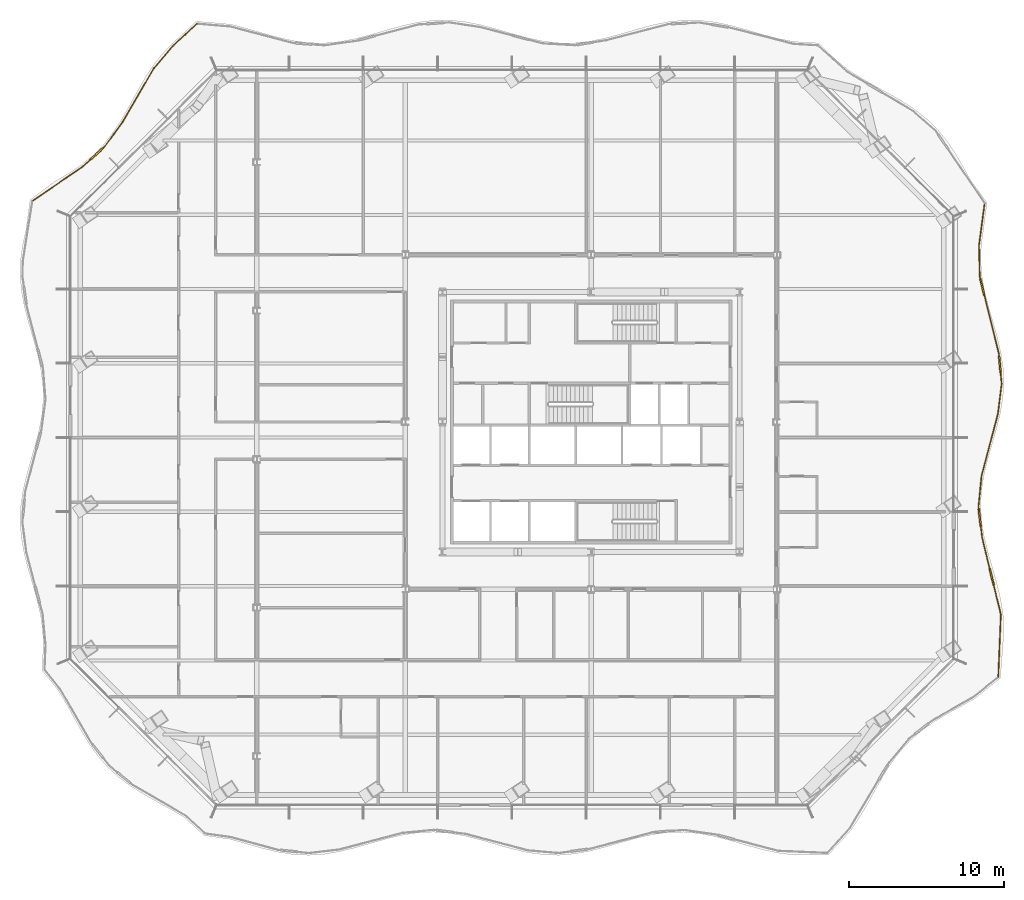
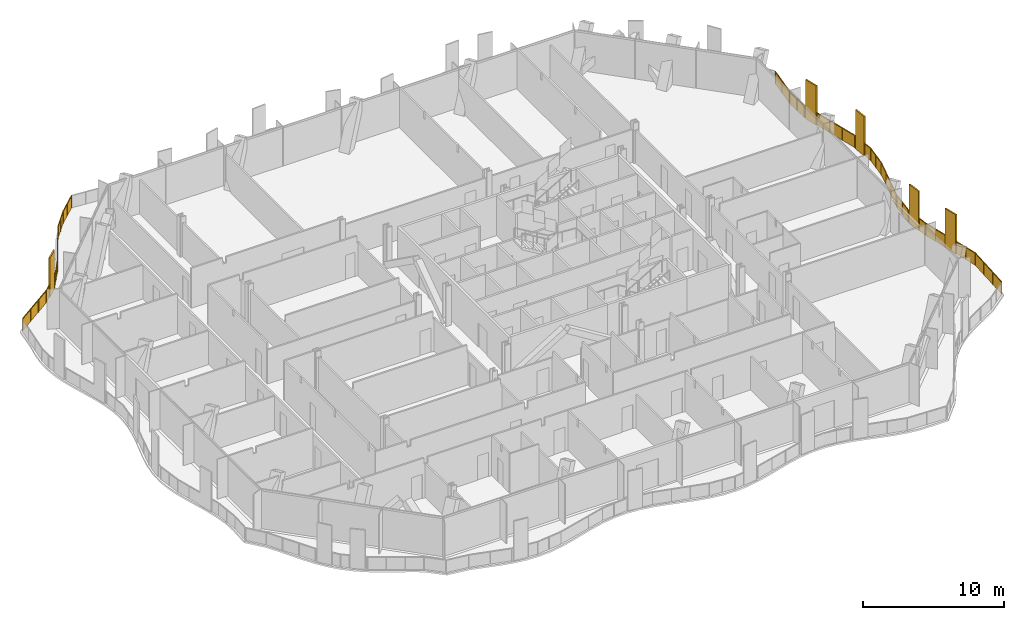
# One storey, part 17 of 19: 2 railings.
"""IFC4 building model written with IfcOpenShell, lengths in metres."""

import ifcopenshell
import ifcopenshell.guid

model = None  # the IFC model being written
_history = None  # IfcOwnerHistory: only IFC2X3 demands one
_inside = {}  # id of a spatial element -> (the spatial element, [elements in it])
_under = {}  # id of a project, library or spatial element -> (it, [spatial elements below it])
_declared = {}  # id of a project -> (the project, [libraries it declares])
_typed = {}  # id of a type object -> (the type object, [elements of that type])
_made_of = {}  # id of a material, layer set ... -> (it, [elements and type objects made of it])


def new_model(schema):
    """Start an empty IFC model of exactly this schema.

    Asked for "IFC4X3", IfcOpenShell would pick the latest addendum, in which some entities
    have other attributes; the version numbers below select the first issue.
    IFC2X3 requires an IfcOwnerHistory on every rooted entity: one is made here for all.
    """
    global model, _history
    if schema == "IFC4X3":
        model = ifcopenshell.file(schema_version=(4, 3, 0, 0))
    else:
        model = ifcopenshell.file(schema=schema)
    _inside.clear()
    _under.clear()
    _declared.clear()
    _typed.clear()
    _made_of.clear()
    _history = None
    if model.schema == "IFC2X3":
        org = make("IfcOrganization", Name="unknown")
        user = make(
            "IfcPersonAndOrganization",
            ThePerson=make("IfcPerson", FamilyName="unknown"),
            TheOrganization=org,
        )
        app = make(
            "IfcApplication",
            ApplicationDeveloper=org,
            Version="unknown",
            ApplicationFullName="unknown",
            ApplicationIdentifier="unknown",
        )
        _history = make(
            "IfcOwnerHistory",
            OwningUser=user,
            OwningApplication=app,
            ChangeAction="ADDED",
            CreationDate=0,
        )
    return model


def make(cls, **values):
    """One entity of the class cls with the attributes given. An attribute that is None is left unset."""
    return model.create_entity(
        cls, **{name: value for name, value in values.items() if value is not None}
    )


def rooted(cls, **values):
    """An entity with a GlobalId (a new one), such as an element, a storey or a relation."""
    return make(cls, GlobalId=ifcopenshell.guid.new(), OwnerHistory=_history, **values)


def si_unit(unit_type, name, prefix=None):
    """IfcSIUnit, for example si_unit("LENGTHUNIT", "METRE", prefix="MILLI")."""
    return make("IfcSIUnit", UnitType=unit_type, Prefix=prefix, Name=name)


def assignment(units):
    """IfcUnitAssignment: the units of a project."""
    return None if units is None else make("IfcUnitAssignment", Units=units)


def point(xyz):
    """IfcCartesianPoint."""
    return None if xyz is None else make("IfcCartesianPoint", Coordinates=xyz)


def direction(xyz):
    """IfcDirection."""
    return None if xyz is None else make("IfcDirection", DirectionRatios=xyz)


def frame(location, z_axis=None, x_axis=None):
    """IfcAxis2Placement3D, a coordinate frame: its origin and axes. An axis left out is left unset."""
    return make(
        "IfcAxis2Placement3D",
        Location=point(location),
        Axis=direction(z_axis),
        RefDirection=direction(x_axis),
    )


def frame_2d(location, x_axis=None):
    """IfcAxis2Placement2D, a coordinate frame in the plane: its origin and x axis."""
    return make(
        "IfcAxis2Placement2D", Location=point(location), RefDirection=direction(x_axis)
    )


def origin():
    """The frame at (0, 0, 0) with its axes left unset."""
    return frame((0.0, 0.0, 0.0))


def origin_2d():
    """The frame at (0, 0) in the plane with its x axis left unset."""
    return frame_2d((0.0, 0.0))


def place(relative_to, where):
    """IfcLocalPlacement: puts the frame where relative to a parent placement (None: the world)."""
    return make(
        "IfcLocalPlacement", PlacementRelTo=relative_to, RelativePlacement=where
    )


def context(
    kind, dimensions, precision=None, world=None, true_north=None, identifier=None
):
    """IfcGeometricRepresentationContext, for example the 3D "Model" context."""
    return make(
        "IfcGeometricRepresentationContext",
        ContextIdentifier=identifier,
        ContextType=kind,
        CoordinateSpaceDimension=dimensions,
        Precision=precision,
        WorldCoordinateSystem=world,
        TrueNorth=true_north,
    )


def subcontext(parent, identifier, kind, view, scale=None):
    """IfcGeometricRepresentationSubContext, for example "Body" below "Model"."""
    return make(
        "IfcGeometricRepresentationSubContext",
        ContextIdentifier=identifier,
        ContextType=kind,
        ParentContext=parent,
        TargetScale=scale,
        TargetView=view,
    )


def project(units=None, contexts=None):
    """IfcProject with its units and contexts."""
    return rooted(
        "IfcProject",
        Name="project",
        RepresentationContexts=contexts,
        UnitsInContext=assignment(units),
    )


def spatial(cls, under=None, at=None, **own):
    """A site, building, storey or space (cls), placed at a placement, below another one or the project."""
    s = rooted(cls, ObjectPlacement=at, **own)
    if under is not None:
        _under.setdefault(under.id(), (under, []))[1].append(s)
    return s


def polyline(points):
    """IfcPolyline through the points."""
    return make("IfcPolyline", Points=[point(p) for p in points])


def profile(cls, at=None, kind="AREA", **sizes):
    """A parametric profile (cls). Its sizes go by their IFC names, for example OverallWidth=200.0."""
    return make(cls, ProfileType=kind, Position=at, **sizes)


def rectangle(**sizes):
    """IfcRectangleProfileDef."""
    return profile("IfcRectangleProfileDef", **sizes)


def outline(outer, holes=None, kind="AREA"):
    """IfcArbitraryClosedProfileDef: a profile drawn as a closed curve; with holes, ...WithVoids."""
    if holes is None:
        return make("IfcArbitraryClosedProfileDef", ProfileType=kind, OuterCurve=outer)
    return make(
        "IfcArbitraryProfileDefWithVoids",
        ProfileType=kind,
        OuterCurve=outer,
        InnerCurves=holes,
    )


def extrude(swept, where, along, depth):
    """IfcExtrudedAreaSolid: the profile swept, set in the frame where, extruded along a direction by depth."""
    return make(
        "IfcExtrudedAreaSolid",
        SweptArea=swept,
        Position=where,
        ExtrudedDirection=direction(along),
        Depth=depth,
    )


def shape(context_of_items, identifier, shape_type, items):
    """IfcShapeRepresentation: the items that make up one representation, for example the "Body"."""
    return make(
        "IfcShapeRepresentation",
        ContextOfItems=context_of_items,
        RepresentationIdentifier=identifier,
        RepresentationType=shape_type,
        Items=items,
    )


def material(Name=None, Category=None):
    """IfcMaterial."""
    return make("IfcMaterial", Name=Name, Category=Category)


def made_of(thing, what):
    """Note that an element or type object is made of a material, layer set ...; save() writes the relation."""
    if what is not None:
        _made_of.setdefault(what.id(), (what, []))[1].append(thing)
    return thing


def type_object(cls, material=None, **own):
    """A type object (cls), such as IfcWallType, which elements share."""
    return made_of(rooted(cls, **own), material)


def element(
    cls,
    number,
    at=None,
    inside=None,
    cuts=None,
    type_object=None,
    material=None,
    context=None,
    identifier="Body",
    shape_type=None,
    held_by="IfcProductDefinitionShape",
    body=None,
    shapes=None,
    **own,
):
    """One element of the class cls, such as IfcWall. Its Tag is "e" and its number.

    at: its placement. inside: the storey or other place that contains it. cuts: it is an
    opening in that element (IfcRelVoidsElement). A single representation is given by context,
    identifier, shape_type and body (its items); several are given by shapes. held_by: the class
    of the entity that holds the representations. save() writes the other relations.
    """
    e = rooted(cls, Tag="e%d" % number, ObjectPlacement=at, **own)
    if body is not None:
        shapes = [shape(context, identifier, shape_type, body)]
    if shapes is not None:
        e.Representation = make(held_by, Representations=shapes)
    if inside is not None:
        _inside.setdefault(inside.id(), (inside, []))[1].append(e)
    if cuts is not None:
        rooted(
            "IfcRelVoidsElement", RelatingBuildingElement=cuts, RelatedOpeningElement=e
        )
    if type_object is not None:
        _typed.setdefault(type_object.id(), (type_object, []))[1].append(e)
    return made_of(e, material)


def aggregate(whole, parts):
    """IfcRelAggregates: a whole, such as a stair, and the parts it consists of."""
    return rooted("IfcRelAggregates", RelatingObject=whole, RelatedObjects=parts)


def save(model, path):
    """Write the relations noted so far, then the file.

    IfcRelAggregates (storeys below a building ...), IfcRelContainedInSpatialStructure (elements
    in a storey), IfcRelDefinesByType, IfcRelAssociatesMaterial and IfcRelDeclares: one each for
    every whole, place, type object, material and project.
    """
    for whole, parts in _under.values():
        aggregate(whole, parts)
    for where, things in _inside.values():
        rooted(
            "IfcRelContainedInSpatialStructure",
            RelatedElements=things,
            RelatingStructure=where,
        )
    for kind, things in _typed.values():
        rooted("IfcRelDefinesByType", RelatedObjects=things, RelatingType=kind)
    for what, things in _made_of.values():
        rooted("IfcRelAssociatesMaterial", RelatedObjects=things, RelatingMaterial=what)
    for by, libraries in _declared.values():
        rooted("IfcRelDeclares", RelatingContext=by, RelatedDefinitions=libraries)
    model.write(path)


model = new_model("IFC4")

# Units and contexts
model_context = context("Model", 3, precision=1e-05, world=origin(), true_north=direction((0.0, 1.0)))
body_context = subcontext(model_context, "Body", "Model", "MODEL_VIEW")
ifc_project = project(units=[si_unit("LENGTHUNIT", "METRE"), si_unit("AREAUNIT", "SQUARE_METRE"), si_unit("VOLUMEUNIT", "CUBIC_METRE"), si_unit("PLANEANGLEUNIT", "RADIAN"), si_unit("MASSUNIT", "GRAM", prefix="KILO")], contexts=[model_context])

# Site, building, storey
site_placement = place(None, origin())
site = spatial("IfcSite", under=ifc_project, at=site_placement, CompositionType="ELEMENT")
building_placement = place(site_placement, origin())
building = spatial("IfcBuilding", under=site, at=building_placement, Name="Cairn Pilgrim Tower", CompositionType="ELEMENT")
storey_placement = place(building_placement, frame((0.0, 0.0, 97.800048828125)))
storey = spatial("IfcBuildingStorey", under=building, at=storey_placement, Name="L23", CompositionType="ELEMENT", Elevation=97.800048828125)

# Railings
ifc_material = material(Name="Bronze anodised aluminium rail, posts and fin screens with laminated glass infill", Category="aluminium")
railing_type = type_object("IfcRailingType", Name="BALCONY GUARD WITH FIN SCREENS", PredefinedType="GUARDRAIL", material=ifc_material)
railing_1_placement = place(storey_placement, frame((33.515380859375, -14.083740234375, 0.0)))
element("IfcRailing", 1, at=railing_1_placement, inside=storey, type_object=railing_type, Name="Balcony guard BGF-3 with fin screens", PredefinedType="GUARDRAIL", context=body_context, shape_type="SweptSolid", body=[
    extrude(rectangle(XDim=0.050048828125, YDim=0.050048828125, at=origin_2d()), frame((0.0, 0.0, 1.0751953125), z_axis=(0.041725988298, 0.99912909171, 0.0), x_axis=(-0.99912909171, 0.041725988298, 0.0)), (0.0, 0.0, 1.0), 4.04296875),
    extrude(rectangle(XDim=1.10009765625, YDim=0.110107421875, at=origin_2d()), frame((-0.425048828125, 6.4736328125, 0.0), z_axis=(0.0, 0.0, 1.0), x_axis=(-0.237011292775, 0.971506895033, 0.0)), (0.0, 0.0, 1.0), 3.39990234375),
    extrude(rectangle(XDim=0.050048828125, YDim=0.050048828125, at=origin_2d()), frame((0.168701171875, 4.03955078125, 1.0751953125), z_axis=(-0.237011292775, 0.971506895033, 0.0), x_axis=(-0.971506895033, -0.237011292775, 0.0)), (0.0, 0.0, 1.0), 1.955322265625),
    extrude(rectangle(XDim=0.050048828125, YDim=0.050048828125, at=origin_2d()), frame((-0.555419921875, 7.0078125, 1.0751953125), z_axis=(-0.237011292775, 0.971506895033, 0.0), x_axis=(-0.971506895033, -0.237011292775, 0.0)), (0.0, 0.0, 1.0), 2.04345703125),
    extrude(rectangle(XDim=1.10009765625, YDim=0.110107421875, at=origin_2d()), frame((-1.1962890625, 10.3095703125, 0.0), z_axis=(0.0, 0.0, 1.0), x_axis=(-0.117995010321, 0.993014187985, 0.0)), (0.0, 0.0, 1.0), 3.39990234375),
    extrude(rectangle(XDim=0.050048828125, YDim=0.050048828125, at=origin_2d()), frame((-1.039794921875, 8.9931640625, 1.0751953125), z_axis=(-0.117995010321, 0.993014187985, 0.0), x_axis=(-0.993014187985, -0.117995010321, 0.0)), (0.0, 0.0, 1.0), 0.775634765625),
    extrude(rectangle(XDim=0.050048828125, YDim=0.050048828125, at=origin_2d()), frame((-1.26123046875, 10.855712890625, 1.0751953125), z_axis=(-0.117995010321, 0.993014187985, 0.0), x_axis=(-0.993014187985, -0.117995010321, 0.0)), (0.0, 0.0, 1.0), 0.14990234375),
    extrude(rectangle(XDim=0.050048828125, YDim=0.050048828125, at=origin_2d()), frame((-1.27880859375, 11.004638671875, 1.0751953125), z_axis=(0.099002253839, 0.99508720911, 0.0), x_axis=(-0.99508720911, 0.099002253839, 0.0)), (0.0, 0.0, 1.0), 2.024658203125),
    extrude(rectangle(XDim=0.050048828125, YDim=0.050048828125, at=origin_2d()), frame((-1.078369140625, 13.019287109375, 1.0751953125), z_axis=(0.25639847073, 0.966571168723, 0.0), x_axis=(-0.966571168723, 0.25639847073, 0.0)), (0.0, 0.0, 1.0), 4.111572265625),
    extrude(rectangle(XDim=0.050048828125, YDim=0.050048828125, at=origin_2d()), frame((-0.024169921875, 16.993408203125, 1.0751953125), z_axis=(0.123365297014, 0.992361327084, 0.0), x_axis=(-0.992361327084, 0.123365297014, 0.0)), (0.0, 0.0, 1.0), 1.97509765625),
    extrude(rectangle(XDim=1.10009765625, YDim=0.110107421875, at=origin_2d()), frame((0.1015625, 20.215087890625, 0.0), z_axis=(0.0, 0.0, 1.0), x_axis=(-0.093075444868, 0.995659058897, 0.0)), (0.0, 0.0, 1.0), 3.39990234375),
    extrude(rectangle(XDim=0.050048828125, YDim=0.050048828125, at=origin_2d()), frame((0.219482421875, 18.953369140625, 1.0751953125), z_axis=(-0.093075444868, 0.995659058897, 0.0), x_axis=(-0.995659058897, -0.093075444868, 0.0)), (0.0, 0.0, 1.0), 0.71728515625),
    extrude(rectangle(XDim=0.050048828125, YDim=0.050048828125, at=origin_2d()), frame((0.05029296875, 20.7626953125, 1.0751953125), z_axis=(-0.093075444868, 0.995659058897, 0.0), x_axis=(-0.995659058897, -0.093075444868, 0.0)), (0.0, 0.0, 1.0), 0.150146484375),
    extrude(rectangle(XDim=1.10009765625, YDim=0.110107421875, at=origin_2d()), frame((-1.028076171875, 25.203369140625, 0.0), z_axis=(0.0, 0.0, 1.0), x_axis=(-0.240785430161, 0.97057837222, 0.0)), (0.0, 0.0, 1.0), 3.39990234375),
    extrude(rectangle(XDim=0.050048828125, YDim=0.050048828125, at=origin_2d()), frame((0.036376953125, 20.912109375, 1.0751953125), z_axis=(-0.240785430161, 0.97057837222, 0.0), x_axis=(-0.97057837222, -0.240785430161, 0.0)), (0.0, 0.0, 1.0), 3.871337890625),
    extrude(rectangle(XDim=0.050048828125, YDim=0.050048828125, at=origin_2d()), frame((-1.16064453125, 25.737060546875, 1.0751953125), z_axis=(-0.240785430161, 0.97057837222, 0.0), x_axis=(-0.97057837222, -0.240785430161, 0.0)), (0.0, 0.0, 1.0), 0.150146484375),
    extrude(rectangle(XDim=0.050048828125, YDim=0.050048828125, at=origin_2d()), frame((-1.19677734375, 25.8828125, 1.0751953125), z_axis=(-0.022781964362, 0.999740457369, 0.0), x_axis=(-0.999740457369, -0.022781964362, 0.0)), (0.0, 0.0, 1.0), 2.0146484375),
    extrude(rectangle(XDim=0.050048828125, YDim=0.050048828125, at=origin_2d()), frame((-1.24267578125, 27.89697265625, 1.0751953125), z_axis=(0.131338408309, 0.9913375926, 0.0), x_axis=(-0.9913375926, 0.131338408309, 0.0)), (0.0, 0.0, 1.0), 2.693603515625),
    extrude(rectangle(XDim=0.050048828125, YDim=0.050048828125, at=origin_2d()), origin(), (0.0, 0.0, 1.0), 1.050048828125),
    extrude(rectangle(XDim=0.050048828125, YDim=0.050048828125, at=origin_2d()), frame((0.05615234375, 1.346435546875, 0.0)), (0.0, 0.0, 1.0), 1.050048828125),
    extrude(rectangle(XDim=0.050048828125, YDim=0.050048828125, at=origin_2d()), frame((0.112548828125, 2.693115234375, 0.0)), (0.0, 0.0, 1.0), 1.050048828125),
    extrude(rectangle(XDim=0.050048828125, YDim=0.050048828125, at=origin_2d()), frame((0.168701171875, 4.03955078125, 0.0)), (0.0, 0.0, 1.0), 1.050048828125),
    extrude(rectangle(XDim=0.050048828125, YDim=0.050048828125, at=origin_2d()), frame((-0.06005859375, 4.977294921875, 0.0)), (0.0, 0.0, 1.0), 1.050048828125),
    extrude(rectangle(XDim=0.050048828125, YDim=0.050048828125, at=origin_2d()), frame((-0.288818359375, 5.9150390625, 0.0)), (0.0, 0.0, 1.0), 1.050048828125),
    extrude(rectangle(XDim=0.050048828125, YDim=0.050048828125, at=origin_2d()), frame((-0.561279296875, 7.0322265625, 0.0)), (0.0, 0.0, 1.0), 1.050048828125),
    extrude(rectangle(XDim=0.050048828125, YDim=0.050048828125, at=origin_2d()), frame((-0.800537109375, 8.0126953125, 0.0)), (0.0, 0.0, 1.0), 1.050048828125),
    extrude(rectangle(XDim=0.050048828125, YDim=0.050048828125, at=origin_2d()), frame((-1.039794921875, 8.9931640625, 0.0)), (0.0, 0.0, 1.0), 1.050048828125),
    extrude(rectangle(XDim=0.050048828125, YDim=0.050048828125, at=origin_2d()), frame((-1.12841796875, 9.738525390625, 0.0)), (0.0, 0.0, 1.0), 1.050048828125),
    extrude(rectangle(XDim=0.050048828125, YDim=0.050048828125, at=origin_2d()), frame((-1.26416015625, 10.880615234375, 0.0)), (0.0, 0.0, 1.0), 1.050048828125),
    extrude(rectangle(XDim=0.050048828125, YDim=0.050048828125, at=origin_2d()), frame((-1.27880859375, 11.004638671875, 0.0)), (0.0, 0.0, 1.0), 1.050048828125),
    extrude(rectangle(XDim=0.050048828125, YDim=0.050048828125, at=origin_2d()), frame((-1.1787109375, 12.011962890625, 0.0)), (0.0, 0.0, 1.0), 1.050048828125),
    extrude(rectangle(XDim=0.050048828125, YDim=0.050048828125, at=origin_2d()), frame((-1.078369140625, 13.019287109375, 0.0)), (0.0, 0.0, 1.0), 1.050048828125),
    extrude(rectangle(XDim=0.050048828125, YDim=0.050048828125, at=origin_2d()), frame((-0.72705078125, 14.343994140625, 0.0)), (0.0, 0.0, 1.0), 1.050048828125),
    extrude(rectangle(XDim=0.050048828125, YDim=0.050048828125, at=origin_2d()), frame((-0.37548828125, 15.668701171875, 0.0)), (0.0, 0.0, 1.0), 1.050048828125),
    extrude(rectangle(XDim=0.050048828125, YDim=0.050048828125, at=origin_2d()), frame((-0.024169921875, 16.993408203125, 0.0)), (0.0, 0.0, 1.0), 1.050048828125),
    extrude(rectangle(XDim=0.050048828125, YDim=0.050048828125, at=origin_2d()), frame((0.09765625, 17.973388671875, 0.0)), (0.0, 0.0, 1.0), 1.050048828125),
    extrude(rectangle(XDim=0.050048828125, YDim=0.050048828125, at=origin_2d()), frame((0.219482421875, 18.953369140625, 0.0)), (0.0, 0.0, 1.0), 1.050048828125),
    extrude(rectangle(XDim=0.050048828125, YDim=0.050048828125, at=origin_2d()), frame((0.155029296875, 19.642578125, 0.0)), (0.0, 0.0, 1.0), 1.050048828125),
    extrude(rectangle(XDim=0.050048828125, YDim=0.050048828125, at=origin_2d()), frame((0.048095703125, 20.78759765625, 0.0)), (0.0, 0.0, 1.0), 1.050048828125),
    extrude(rectangle(XDim=0.050048828125, YDim=0.050048828125, at=origin_2d()), frame((0.036376953125, 20.912109375, 0.0)), (0.0, 0.0, 1.0), 1.050048828125),
    extrude(rectangle(XDim=0.050048828125, YDim=0.050048828125, at=origin_2d()), frame((-0.272216796875, 22.156494140625, 0.0)), (0.0, 0.0, 1.0), 1.050048828125),
    extrude(rectangle(XDim=0.050048828125, YDim=0.050048828125, at=origin_2d()), frame((-0.5810546875, 23.40087890625, 0.0)), (0.0, 0.0, 1.0), 1.050048828125),
    extrude(rectangle(XDim=0.050048828125, YDim=0.050048828125, at=origin_2d()), frame((-0.8896484375, 24.64501953125, 0.0)), (0.0, 0.0, 1.0), 1.050048828125),
    extrude(rectangle(XDim=0.050048828125, YDim=0.050048828125, at=origin_2d()), frame((-1.166748046875, 25.761474609375, 0.0)), (0.0, 0.0, 1.0), 1.050048828125),
    extrude(rectangle(XDim=0.050048828125, YDim=0.050048828125, at=origin_2d()), frame((-1.19677734375, 25.8828125, 0.0)), (0.0, 0.0, 1.0), 1.050048828125),
    extrude(rectangle(XDim=0.050048828125, YDim=0.050048828125, at=origin_2d()), frame((-1.2197265625, 26.889892578125, 0.0)), (0.0, 0.0, 1.0), 1.050048828125),
    extrude(rectangle(XDim=0.050048828125, YDim=0.050048828125, at=origin_2d()), frame((-1.24267578125, 27.89697265625, 0.0)), (0.0, 0.0, 1.0), 1.050048828125),
    extrude(rectangle(XDim=0.050048828125, YDim=0.050048828125, at=origin_2d()), frame((-1.06591796875, 29.23193359375, 0.0)), (0.0, 0.0, 1.0), 1.050048828125),
    extrude(rectangle(XDim=0.050048828125, YDim=0.050048828125, at=origin_2d()), frame((-0.888916015625, 30.567138671875, 0.0)), (0.0, 0.0, 1.0), 1.050048828125),
    extrude(outline(polyline([(0.02490234375, 0.0), (1.32275390625, 0.0), (1.32275390625, 1.050048828125), (0.02490234375, 1.050048828125), (0.02490234375, 0.0)])), frame((-0.005859375, 0.000244140625, 0.0), z_axis=(0.99912909171, -0.041725988298, 0.0), x_axis=(0.041725988298, 0.99912909171, 0.0)), (0.0, 0.0, 1.0), 0.011962890625),
    extrude(outline(polyline([(0.02490234375, 0.0), (1.32275390625, 0.0), (1.32275390625, 1.050048828125), (0.02490234375, 1.050048828125), (0.02490234375, 0.0)])), frame((0.05029296875, 1.3466796875, 0.0), z_axis=(0.99912909171, -0.041725988298, 0.0), x_axis=(0.041725988298, 0.99912909171, 0.0)), (0.0, 0.0, 1.0), 0.011962890625),
    extrude(outline(polyline([(0.02490234375, 0.0), (1.32275390625, 0.0), (1.32275390625, 1.050048828125), (0.02490234375, 1.050048828125), (0.02490234375, 0.0)])), frame((0.1064453125, 2.693359375, 0.0), z_axis=(0.99912909171, -0.041725988298, 0.0), x_axis=(0.041725988298, 0.99912909171, 0.0)), (0.0, 0.0, 1.0), 0.011962890625),
    extrude(outline(polyline([(0.02490234375, 0.0), (0.940185546875, 0.0), (0.940185546875, 1.050048828125), (0.02490234375, 1.050048828125), (0.02490234375, 0.0)])), frame((0.162841796875, 4.0380859375, 0.0), z_axis=(0.971506895033, 0.237011292775, 0.0), x_axis=(-0.237011292775, 0.971506895033, 0.0)), (0.0, 0.0, 1.0), 0.011962890625),
    extrude(outline(polyline([(0.02490234375, 0.0), (0.940185546875, 0.0), (0.940185546875, 1.050048828125), (0.02490234375, 1.050048828125), (0.02490234375, 0.0)])), frame((-0.06591796875, 4.975830078125, 0.0), z_axis=(0.971506895033, 0.237011292775, 0.0), x_axis=(-0.237011292775, 0.971506895033, 0.0)), (0.0, 0.0, 1.0), 0.011962890625),
    extrude(outline(polyline([(0.02490234375, 0.0), (0.984130859375, 0.0), (0.984130859375, 1.050048828125), (0.02490234375, 1.050048828125), (0.02490234375, 0.0)])), frame((-0.567138671875, 7.03076171875, 0.0), z_axis=(0.971506895033, 0.237011292775, 0.0), x_axis=(-0.237011292775, 0.971506895033, 0.0)), (0.0, 0.0, 1.0), 0.011962890625),
    extrude(outline(polyline([(0.02490234375, 0.0), (0.984130859375, 0.0), (0.984130859375, 1.050048828125), (0.02490234375, 1.050048828125), (0.02490234375, 0.0)])), frame((-0.806396484375, 8.01123046875, 0.0), z_axis=(0.971506895033, 0.237011292775, 0.0), x_axis=(-0.237011292775, 0.971506895033, 0.0)), (0.0, 0.0, 1.0), 0.011962890625),
    extrude(outline(polyline([(0.02490234375, 0.0), (0.7255859375, 0.0), (0.7255859375, 1.050048828125), (0.02490234375, 1.050048828125), (0.02490234375, 0.0)])), frame((-1.045654296875, 8.992431640625, 0.0), z_axis=(0.993014187985, 0.117995010321, 0.0), x_axis=(-0.117995010321, 0.993014187985, 0.0)), (0.0, 0.0, 1.0), 0.011962890625),
    extrude(outline(polyline([(0.02490234375, 0.0), (0.099853515625, 0.0), (0.099853515625, 1.050048828125), (0.02490234375, 1.050048828125), (0.02490234375, 0.0)])), frame((-1.27001953125, 10.8798828125, 0.0), z_axis=(0.993014187985, 0.117995010321, 0.0), x_axis=(-0.117995010321, 0.993014187985, 0.0)), (0.0, 0.0, 1.0), 0.011962890625),
    extrude(outline(polyline([(0.02490234375, 0.0), (0.9873046875, 0.0), (0.9873046875, 1.050048828125), (0.02490234375, 1.050048828125), (0.02490234375, 0.0)])), frame((-1.28466796875, 11.005126953125, 0.0), z_axis=(0.99508720911, -0.099002253839, 0.0), x_axis=(0.099002253839, 0.99508720911, 0.0)), (0.0, 0.0, 1.0), 0.011962890625),
    extrude(outline(polyline([(0.02490234375, 0.0), (0.9873046875, 0.0), (0.9873046875, 1.050048828125), (0.02490234375, 1.050048828125), (0.02490234375, 0.0)])), frame((-1.1845703125, 12.012451171875, 0.0), z_axis=(0.99508720911, -0.099002253839, 0.0), x_axis=(0.099002253839, 0.99508720911, 0.0)), (0.0, 0.0, 1.0), 0.011962890625),
    extrude(outline(polyline([(0.02490234375, 0.0), (1.345458984375, 0.0), (1.345458984375, 1.050048828125), (0.02490234375, 1.050048828125), (0.02490234375, 0.0)])), frame((-1.084228515625, 13.020751953125, 0.0), z_axis=(0.966571168723, -0.25639847073, 0.0), x_axis=(0.25639847073, 0.966571168723, 0.0)), (0.0, 0.0, 1.0), 0.011962890625),
    extrude(outline(polyline([(0.02490234375, 0.0), (1.345458984375, 0.0), (1.345458984375, 1.050048828125), (0.02490234375, 1.050048828125), (0.02490234375, 0.0)])), frame((-0.732666015625, 14.345458984375, 0.0), z_axis=(0.966571168723, -0.25639847073, 0.0), x_axis=(0.25639847073, 0.966571168723, 0.0)), (0.0, 0.0, 1.0), 0.011962890625),
    extrude(outline(polyline([(0.02490234375, 0.0), (1.345458984375, 0.0), (1.345458984375, 1.050048828125), (0.02490234375, 1.050048828125), (0.02490234375, 0.0)])), frame((-0.38134765625, 15.670166015625, 0.0), z_axis=(0.966571168723, -0.25639847073, 0.0), x_axis=(0.25639847073, 0.966571168723, 0.0)), (0.0, 0.0, 1.0), 0.011962890625),
    extrude(outline(polyline([(0.02490234375, 0.0), (0.96240234375, 0.0), (0.96240234375, 1.050048828125), (0.02490234375, 1.050048828125), (0.02490234375, 0.0)])), frame((-0.030029296875, 16.994140625, 0.0), z_axis=(0.992361327084, -0.123365297014, 0.0), x_axis=(0.123365297014, 0.992361327084, 0.0)), (0.0, 0.0, 1.0), 0.011962890625),
    extrude(outline(polyline([(0.02490234375, 0.0), (0.96240234375, 0.0), (0.96240234375, 1.050048828125), (0.02490234375, 1.050048828125), (0.02490234375, 0.0)])), frame((0.091796875, 17.97412109375, 0.0), z_axis=(0.992361327084, -0.123365297014, 0.0), x_axis=(0.123365297014, 0.992361327084, 0.0)), (0.0, 0.0, 1.0), 0.011962890625),
    extrude(outline(polyline([(0.02490234375, 0.0), (0.667236328125, 0.0), (0.667236328125, 1.050048828125), (0.02490234375, 1.050048828125), (0.02490234375, 0.0)])), frame((0.213623046875, 18.952880859375, 0.0), z_axis=(0.995659058897, 0.093075444868, 0.0), x_axis=(-0.093075444868, 0.995659058897, 0.0)), (0.0, 0.0, 1.0), 0.011962890625),
    extrude(outline(polyline([(0.02490234375, 0.0), (0.10009765625, 0.0), (0.10009765625, 1.050048828125), (0.02490234375, 1.050048828125), (0.02490234375, 0.0)])), frame((0.0419921875, 20.787109375, 0.0), z_axis=(0.995659058897, 0.093075444868, 0.0), x_axis=(-0.093075444868, 0.995659058897, 0.0)), (0.0, 0.0, 1.0), 0.011962890625),
    extrude(outline(polyline([(0.02490234375, 0.0), (1.257080078125, 0.0), (1.257080078125, 1.050048828125), (0.02490234375, 1.050048828125), (0.02490234375, 0.0)])), frame((0.030517578125, 20.91064453125, 0.0), z_axis=(0.97057837222, 0.240785430161, 0.0), x_axis=(-0.240785430161, 0.97057837222, 0.0)), (0.0, 0.0, 1.0), 0.011962890625),
    extrude(outline(polyline([(0.02490234375, 0.0), (1.257080078125, 0.0), (1.257080078125, 1.050048828125), (0.02490234375, 1.050048828125), (0.02490234375, 0.0)])), frame((-0.278076171875, 22.155029296875, 0.0), z_axis=(0.97057837222, 0.240785430161, 0.0), x_axis=(-0.240785430161, 0.97057837222, 0.0)), (0.0, 0.0, 1.0), 0.011962890625),
    extrude(outline(polyline([(0.02490234375, 0.0), (1.257080078125, 0.0), (1.257080078125, 1.050048828125), (0.02490234375, 1.050048828125), (0.02490234375, 0.0)])), frame((-0.5869140625, 23.3994140625, 0.0), z_axis=(0.97057837222, 0.240785430161, 0.0), x_axis=(-0.240785430161, 0.97057837222, 0.0)), (0.0, 0.0, 1.0), 0.011962890625),
    extrude(outline(polyline([(0.02490234375, 0.0), (0.10009765625, 0.0), (0.10009765625, 1.050048828125), (0.02490234375, 1.050048828125), (0.02490234375, 0.0)])), frame((-1.17236328125, 25.760009765625, 0.0), z_axis=(0.97057837222, 0.240785430161, 0.0), x_axis=(-0.240785430161, 0.97057837222, 0.0)), (0.0, 0.0, 1.0), 0.011962890625),
    extrude(outline(polyline([(0.02490234375, 0.0), (0.982421875, 0.0), (0.982421875, 1.050048828125), (0.02490234375, 1.050048828125), (0.02490234375, 0.0)])), frame((-1.20263671875, 25.882568359375, 0.0), z_axis=(0.999740457369, 0.022781964362, 0.0), x_axis=(-0.022781964362, 0.999740457369, 0.0)), (0.0, 0.0, 1.0), 0.011962890625),
    extrude(outline(polyline([(0.02490234375, 0.0), (0.982421875, 0.0), (0.982421875, 1.050048828125), (0.02490234375, 1.050048828125), (0.02490234375, 0.0)])), frame((-1.2255859375, 26.8896484375, 0.0), z_axis=(0.999740457369, 0.022781964362, 0.0), x_axis=(-0.022781964362, 0.999740457369, 0.0)), (0.0, 0.0, 1.0), 0.011962890625),
    extrude(outline(polyline([(0.02490234375, 0.0), (1.32177734375, 0.0), (1.32177734375, 1.050048828125), (0.02490234375, 1.050048828125), (0.02490234375, 0.0)])), frame((-1.24853515625, 27.897705078125, 0.0), z_axis=(0.9913375926, -0.131338408309, 0.0), x_axis=(0.131338408309, 0.9913375926, 0.0)), (0.0, 0.0, 1.0), 0.011962890625),
    extrude(outline(polyline([(0.02490234375, 0.0), (1.32177734375, 0.0), (1.32177734375, 1.050048828125), (0.02490234375, 1.050048828125), (0.02490234375, 0.0)])), frame((-1.07177734375, 29.23291015625, 0.0), z_axis=(0.9913375926, -0.131338408309, 0.0), x_axis=(0.131338408309, 0.9913375926, 0.0)), (0.0, 0.0, 1.0), 0.011962890625),
])
railing_2_placement = place(storey_placement, frame((-18.265625, 28.148193359375, 0.0)))
element("IfcRailing", 2, at=railing_2_placement, inside=storey, type_object=railing_type, Name="Balcony guard BGF-6 with fin screens", PredefinedType="GUARDRAIL", context=body_context, shape_type="SweptSolid", body=[
    extrude(rectangle(XDim=0.050048828125, YDim=0.050048828125, at=origin_2d()), frame((0.0, 0.0, 1.0751953125), z_axis=(-0.733809979896, -0.679354777274, 0.0), x_axis=(0.679354777274, -0.733809979896, 0.0)), (0.0, 0.0, 1.0), 2.102783203125),
    extrude(rectangle(XDim=0.050048828125, YDim=0.050048828125, at=origin_2d()), frame((-1.54296875, -1.428466796875, 1.0751953125), z_axis=(-0.650540406224, -0.759471645205, 0.0), x_axis=(0.759471645205, -0.650540406224, 0.0)), (0.0, 0.0, 1.0), 1.923095703125),
    extrude(rectangle(XDim=0.050048828125, YDim=0.050048828125, at=origin_2d()), frame((-2.7939453125, -2.888916015625, 1.0751953125), z_axis=(-0.503518539899, -0.863984421143, 0.0), x_axis=(0.863984421143, -0.503518539899, 0.0)), (0.0, 0.0, 1.0), 4.005615234375),
    extrude(rectangle(XDim=0.050048828125, YDim=0.050048828125, at=origin_2d()), frame((-4.810791015625, -6.349609375, 1.0751953125), z_axis=(-0.587601664312, -0.809150347029, 0.0), x_axis=(0.809150347029, -0.587601664312, 0.0)), (0.0, 0.0, 1.0), 1.98681640625),
    extrude(rectangle(XDim=1.10009765625, YDim=0.110107421875, at=origin_2d()), frame((-6.49755859375, -8.4267578125, 0.0), z_axis=(0.0, 0.0, 1.0), x_axis=(-0.741873676582, -0.670539669218, 0.0)), (0.0, 0.0, 1.0), 3.39990234375),
    extrude(rectangle(XDim=0.050048828125, YDim=0.050048828125, at=origin_2d()), frame((-5.978271484375, -7.957275390625, 1.0751953125), z_axis=(-0.741873676582, -0.670539669218, 0.0), x_axis=(0.670539669218, -0.741873676582, 0.0)), (0.0, 0.0, 1.0), 0.14990234375),
    extrude(rectangle(XDim=0.050048828125, YDim=0.050048828125, at=origin_2d()), frame((-6.905517578125, -8.79541015625, 1.0751953125), z_axis=(-0.741873676582, -0.670539669218, 0.0), x_axis=(0.670539669218, -0.741873676582, 0.0)), (0.0, 0.0, 1.0), 0.718017578125),
    extrude(rectangle(XDim=0.050048828125, YDim=0.050048828125, at=origin_2d()), frame((-7.438232421875, -9.27685546875, 1.0751953125), z_axis=(-0.826048187783, -0.563599495618, 0.0), x_axis=(0.563599495618, -0.826048187783, 0.0)), (0.0, 0.0, 1.0), 3.83544921875),
    extrude(rectangle(XDim=0.050048828125, YDim=0.050048828125, at=origin_2d()), origin(), (0.0, 0.0, 1.0), 1.050048828125),
    extrude(rectangle(XDim=0.050048828125, YDim=0.050048828125, at=origin_2d()), frame((-0.771484375, -0.71435546875, 0.0)), (0.0, 0.0, 1.0), 1.050048828125),
    extrude(rectangle(XDim=0.050048828125, YDim=0.050048828125, at=origin_2d()), frame((-1.54296875, -1.428466796875, 0.0)), (0.0, 0.0, 1.0), 1.050048828125),
    extrude(rectangle(XDim=0.050048828125, YDim=0.050048828125, at=origin_2d()), frame((-2.16845703125, -2.15869140625, 0.0)), (0.0, 0.0, 1.0), 1.050048828125),
    extrude(rectangle(XDim=0.050048828125, YDim=0.050048828125, at=origin_2d()), frame((-2.7939453125, -2.888916015625, 0.0)), (0.0, 0.0, 1.0), 1.050048828125),
    extrude(rectangle(XDim=0.050048828125, YDim=0.050048828125, at=origin_2d()), frame((-3.46630859375, -4.04248046875, 0.0)), (0.0, 0.0, 1.0), 1.050048828125),
    extrude(rectangle(XDim=0.050048828125, YDim=0.050048828125, at=origin_2d()), frame((-4.138427734375, -5.196044921875, 0.0)), (0.0, 0.0, 1.0), 1.050048828125),
    extrude(rectangle(XDim=0.050048828125, YDim=0.050048828125, at=origin_2d()), frame((-4.810791015625, -6.349609375, 0.0)), (0.0, 0.0, 1.0), 1.050048828125),
    extrude(rectangle(XDim=0.050048828125, YDim=0.050048828125, at=origin_2d()), frame((-5.39453125, -7.1533203125, 0.0)), (0.0, 0.0, 1.0), 1.050048828125),
    extrude(rectangle(XDim=0.050048828125, YDim=0.050048828125, at=origin_2d()), frame((-5.978271484375, -7.957275390625, 0.0)), (0.0, 0.0, 1.0), 1.050048828125),
    extrude(rectangle(XDim=0.050048828125, YDim=0.050048828125, at=origin_2d()), frame((-6.071044921875, -8.041015625, 0.0)), (0.0, 0.0, 1.0), 1.050048828125),
    extrude(rectangle(XDim=0.050048828125, YDim=0.050048828125, at=origin_2d()), frame((-6.924072265625, -8.812255859375, 0.0)), (0.0, 0.0, 1.0), 1.050048828125),
    extrude(rectangle(XDim=0.050048828125, YDim=0.050048828125, at=origin_2d()), frame((-7.438232421875, -9.27685546875, 0.0)), (0.0, 0.0, 1.0), 1.050048828125),
    extrude(rectangle(XDim=0.050048828125, YDim=0.050048828125, at=origin_2d()), frame((-8.494384765625, -9.997314453125, 0.0)), (0.0, 0.0, 1.0), 1.050048828125),
    extrude(rectangle(XDim=0.050048828125, YDim=0.050048828125, at=origin_2d()), frame((-9.55029296875, -10.718017578125, 0.0)), (0.0, 0.0, 1.0), 1.050048828125),
    extrude(rectangle(XDim=0.050048828125, YDim=0.050048828125, at=origin_2d()), frame((-10.6064453125, -11.4384765625, 0.0)), (0.0, 0.0, 1.0), 1.050048828125),
    extrude(outline(polyline([(0.02490234375, 0.0), (1.0263671875, 0.0), (1.0263671875, 1.050048828125), (0.02490234375, 1.050048828125), (0.02490234375, 0.0)])), frame((0.004150390625, -0.00439453125, 0.0), z_axis=(-0.679354777274, 0.733809979896, 0.0), x_axis=(-0.733809979896, -0.679354777274, 0.0)), (0.0, 0.0, 1.0), 0.011962890625),
    extrude(outline(polyline([(0.02490234375, 0.0), (1.0263671875, 0.0), (1.0263671875, 1.050048828125), (0.02490234375, 1.050048828125), (0.02490234375, 0.0)])), frame((-0.767333984375, -0.718505859375, 0.0), z_axis=(-0.679354777274, 0.733809979896, 0.0), x_axis=(-0.733809979896, -0.679354777274, 0.0)), (0.0, 0.0, 1.0), 0.011962890625),
    extrude(outline(polyline([(0.02490234375, 0.0), (0.9365234375, 0.0), (0.9365234375, 1.050048828125), (0.02490234375, 1.050048828125), (0.02490234375, 0.0)])), frame((-1.538330078125, -1.432373046875, 0.0), z_axis=(-0.759471645205, 0.650540406224, 0.0), x_axis=(-0.650540406224, -0.759471645205, 0.0)), (0.0, 0.0, 1.0), 0.011962890625),
    extrude(outline(polyline([(0.02490234375, 0.0), (0.9365234375, 0.0), (0.9365234375, 1.050048828125), (0.02490234375, 1.050048828125), (0.02490234375, 0.0)])), frame((-2.163818359375, -2.16259765625, 0.0), z_axis=(-0.759471645205, 0.650540406224, 0.0), x_axis=(-0.650540406224, -0.759471645205, 0.0)), (0.0, 0.0, 1.0), 0.011962890625),
    extrude(outline(polyline([(0.02490234375, 0.0), (1.31005859375, 0.0), (1.31005859375, 1.050048828125), (0.02490234375, 1.050048828125), (0.02490234375, 0.0)])), frame((-2.788818359375, -2.891845703125, 0.0), z_axis=(-0.863984421143, 0.503518539899, 0.0), x_axis=(-0.503518539899, -0.863984421143, 0.0)), (0.0, 0.0, 1.0), 0.011962890625),
    extrude(outline(polyline([(0.02490234375, 0.0), (1.31005859375, 0.0), (1.31005859375, 1.050048828125), (0.02490234375, 1.050048828125), (0.02490234375, 0.0)])), frame((-3.4609375, -4.04541015625, 0.0), z_axis=(-0.863984421143, 0.503518539899, 0.0), x_axis=(-0.503518539899, -0.863984421143, 0.0)), (0.0, 0.0, 1.0), 0.011962890625),
    extrude(outline(polyline([(0.02490234375, 0.0), (1.31005859375, 0.0), (1.31005859375, 1.050048828125), (0.02490234375, 1.050048828125), (0.02490234375, 0.0)])), frame((-4.13330078125, -5.198974609375, 0.0), z_axis=(-0.863984421143, 0.503518539899, 0.0), x_axis=(-0.503518539899, -0.863984421143, 0.0)), (0.0, 0.0, 1.0), 0.011962890625),
    extrude(outline(polyline([(0.02490234375, 0.0), (0.968505859375, 0.0), (0.968505859375, 1.050048828125), (0.02490234375, 1.050048828125), (0.02490234375, 0.0)])), frame((-4.805908203125, -6.35302734375, 0.0), z_axis=(-0.809150347029, 0.587601664312, 0.0), x_axis=(-0.587601664312, -0.809150347029, 0.0)), (0.0, 0.0, 1.0), 0.011962890625),
    extrude(outline(polyline([(0.02490234375, 0.0), (0.968505859375, 0.0), (0.968505859375, 1.050048828125), (0.02490234375, 1.050048828125), (0.02490234375, 0.0)])), frame((-5.3896484375, -7.156982421875, 0.0), z_axis=(-0.809150347029, 0.587601664312, 0.0), x_axis=(-0.587601664312, -0.809150347029, 0.0)), (0.0, 0.0, 1.0), 0.011962890625),
    extrude(outline(polyline([(0.02490234375, 0.0), (0.099853515625, 0.0), (0.099853515625, 1.050048828125), (0.02490234375, 1.050048828125), (0.02490234375, 0.0)])), frame((-5.974365234375, -7.961669921875, 0.0), z_axis=(-0.670539669218, 0.741873676582, 0.0), x_axis=(-0.741873676582, -0.670539669218, 0.0)), (0.0, 0.0, 1.0), 0.011962890625),
    extrude(outline(polyline([(0.02490234375, 0.0), (0.66796875, 0.0), (0.66796875, 1.050048828125), (0.02490234375, 1.050048828125), (0.02490234375, 0.0)])), frame((-6.920166015625, -8.816650390625, 0.0), z_axis=(-0.670539669218, 0.741873676582, 0.0), x_axis=(-0.741873676582, -0.670539669218, 0.0)), (0.0, 0.0, 1.0), 0.011962890625),
    extrude(outline(polyline([(0.02490234375, 0.0), (1.25341796875, 0.0), (1.25341796875, 1.050048828125), (0.02490234375, 1.050048828125), (0.02490234375, 0.0)])), frame((-7.434814453125, -9.28173828125, 0.0), z_axis=(-0.563599495618, 0.826048187783, 0.0), x_axis=(-0.826048187783, -0.563599495618, 0.0)), (0.0, 0.0, 1.0), 0.011962890625),
    extrude(outline(polyline([(0.02490234375, 0.0), (1.25341796875, 0.0), (1.25341796875, 1.050048828125), (0.02490234375, 1.050048828125), (0.02490234375, 0.0)])), frame((-8.490966796875, -10.00244140625, 0.0), z_axis=(-0.563599495618, 0.826048187783, 0.0), x_axis=(-0.826048187783, -0.563599495618, 0.0)), (0.0, 0.0, 1.0), 0.011962890625),
    extrude(outline(polyline([(0.02490234375, 0.0), (1.25341796875, 0.0), (1.25341796875, 1.050048828125), (0.02490234375, 1.050048828125), (0.02490234375, 0.0)])), frame((-9.547119140625, -10.722900390625, 0.0), z_axis=(-0.563599495618, 0.826048187783, 0.0), x_axis=(-0.826048187783, -0.563599495618, 0.0)), (0.0, 0.0, 1.0), 0.011962890625),
])

save(model, "model.ifc")
